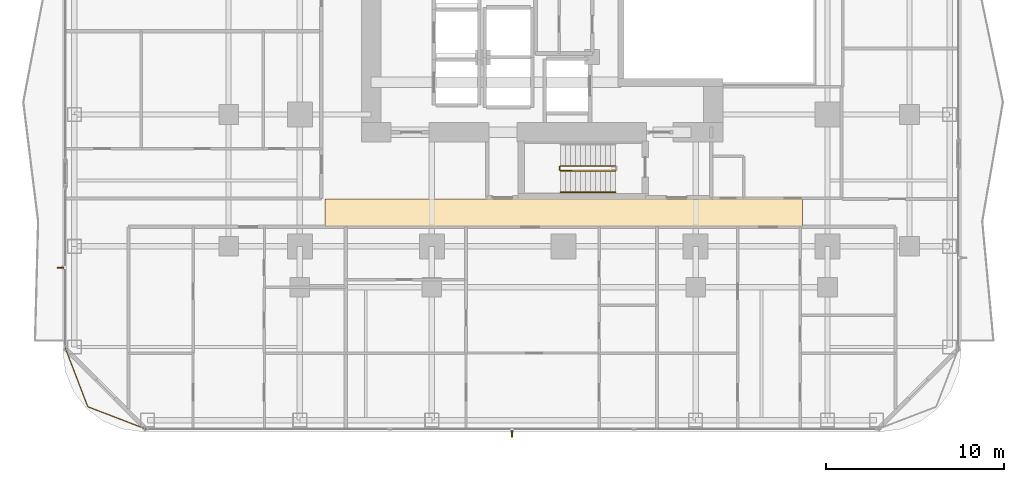
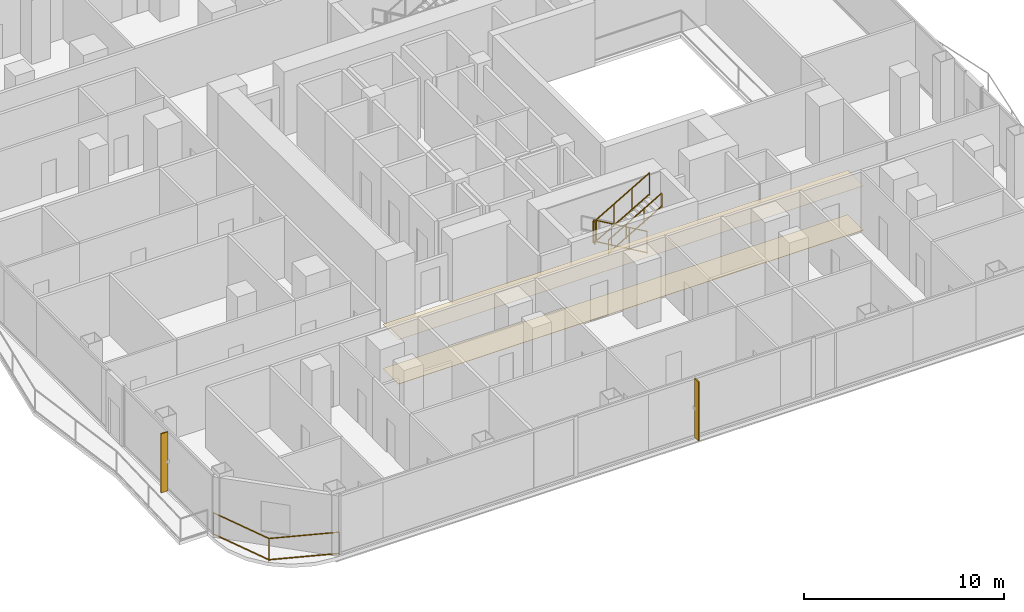
# One storey, part 26 of 30: 5 railings, 2 coverings, 2 shading devices.
"""IFC4 building model written with IfcOpenShell, lengths in metres."""

from ifc_helpers import new_model, si_unit, direction, frame, origin, origin_2d, place, context, subcontext, project, spatial, polyline, rectangle, outline, extrude, material, layer, layer_set, type_object, element, save


model = new_model("IFC4")

# Units and contexts
model_context = context("Model", 3, precision=1e-05, world=origin(), true_north=direction((0.0, 1.0)))
body_context = subcontext(model_context, "Body", "Model", "MODEL_VIEW")
ifc_project = project(units=[si_unit("LENGTHUNIT", "METRE"), si_unit("AREAUNIT", "SQUARE_METRE"), si_unit("VOLUMEUNIT", "CUBIC_METRE"), si_unit("PLANEANGLEUNIT", "RADIAN"), si_unit("MASSUNIT", "GRAM", prefix="KILO")], contexts=[model_context])

# Site, building, storey
site_placement = place(None, origin())
site = spatial("IfcSite", under=ifc_project, at=site_placement, CompositionType="ELEMENT")
building_placement = place(site_placement, origin())
building = spatial("IfcBuilding", under=site, at=building_placement, Name="Khorvyn Point Tower", CompositionType="ELEMENT")
storey_placement = place(building_placement, frame((0.0, 0.0, 57.89990234375)))
storey = spatial("IfcBuildingStorey", under=building, at=storey_placement, Name="L15", CompositionType="ELEMENT", Elevation=57.89990234375)

# Shading devices
ifc_material_1 = material(Name="Bronze anodised aluminium 6063-T6", Category="aluminium")
ifc_layer_1 = layer(ifc_material_1, 0.06494140625)
ifc_layer_set_1 = layer_set([ifc_layer_1], Name="Bronze Anodised Aluminium FIN 380x65")
shading_device_type = type_object("IfcShadingDeviceType", Name="Bronze Anodised Aluminium FIN 380x65", PredefinedType="USERDEFINED", material=ifc_layer_set_1)
for number, where, z_axis, x_axis, name in (
    (1, (-2.89990234375, -25.330078125, 0.0400390625), (0.0, 0.0, 1.0), (0.0, -1.0, 0.0), "L15 Anodised FIN 01"),
    (2, (-28.22998046875, -15.9951171875, 0.0400390625), (0.0, 0.0, 1.0), (-1.0, 0.0, 0.0), "L15 Anodised FIN 01"),
):
    element("IfcShadingDevice", number, at=place(storey_placement, frame(where, z_axis=z_axis, x_axis=x_axis)), inside=storey, type_object=shading_device_type, Name=name, ObjectType="FIN", PredefinedType="USERDEFINED", context=body_context, shape_type="SweptSolid", body=[
        extrude(rectangle(XDim=0.3798828125, YDim=0.06494140625, at=origin_2d()), origin(), (0.0, 0.0, 1.0), 3.60009765625),
    ])

# Railing
ifc_material_2 = material(Name="Anodised aluminium 6063-T6 and laminated safety glass", Category="aluminium")
railing_type_1 = type_object("IfcRailingType", Name="Laminated Glass and Aluminium Balcony Guardrail 1400", PredefinedType="BALUSTRADE", material=ifc_material_2)
railing_1_placement = place(storey_placement, frame((-27.97412109375, -20.470703125, 0.0)))
element("IfcRailing", 3, at=railing_1_placement, inside=storey, type_object=railing_type_1, Name="L15 Rounded Corner Edge Guardrail SW", PredefinedType="BALUSTRADE", context=body_context, shape_type="SweptSolid", body=[
    extrude(rectangle(XDim=0.048095703125, YDim=0.048095703125, at=origin_2d()), frame((0.0, 0.0, 1.3759765625), z_axis=(0.35841886047, -0.933560882031, 0.0), x_axis=(0.933560882031, 0.35841886047, 0.0)), (0.0, 0.0, 1.0), 3.563232421875),
    extrude(rectangle(XDim=0.048095703125, YDim=0.048095703125, at=origin_2d()), frame((0.0, 0.0, 0.080078125), z_axis=(0.35841886047, -0.933560882031, 0.0), x_axis=(0.933560882031, 0.35841886047, 0.0)), (0.0, 0.0, 1.0), 3.563232421875),
    extrude(rectangle(XDim=0.048095703125, YDim=0.048095703125, at=origin_2d()), frame((1.277099609375, -3.326416015625, 1.3759765625), z_axis=(0.933575007025, -0.358382067435, 0.0), x_axis=(0.358382067435, 0.933575007025, 0.0)), (0.0, 0.0, 1.0), 3.562744140625),
    extrude(rectangle(XDim=0.048095703125, YDim=0.048095703125, at=origin_2d()), frame((1.277099609375, -3.326416015625, 0.080078125), z_axis=(0.933575007025, -0.358382067435, 0.0), x_axis=(0.358382067435, 0.933575007025, 0.0)), (0.0, 0.0, 1.0), 3.562744140625),
    extrude(rectangle(XDim=0.0419921875, YDim=0.0419921875, at=origin_2d()), origin(), (0.0, 0.0, 1.0), 1.351806640625),
    extrude(rectangle(XDim=0.0419921875, YDim=0.0419921875, at=origin_2d()), frame((1.277099609375, -3.326416015625, 0.0)), (0.0, 0.0, 1.0), 1.351806640625),
    extrude(rectangle(XDim=0.0419921875, YDim=0.0419921875, at=origin_2d()), frame((4.603271484375, -4.603271484375, 0.0)), (0.0, 0.0, 1.0), 1.351806640625),
])

# Coverings
ifc_material_3 = material(Name="Mineral-fibre acoustic ceiling board", Category="gypsum")
ifc_layer_2 = layer(ifc_material_3, 0.02001953125)
ifc_layer_set_2 = layer_set([ifc_layer_2], Name="Perforated Mineral-Fibre Acoustic Suspended Ceiling 20")
covering_type_1 = type_object("IfcCoveringType", Name="Perforated Mineral-Fibre Acoustic Suspended Ceiling 20", PredefinedType="CEILING", material=ifc_layer_set_2)
covering_1_placement = place(storey_placement, frame((0.0, 0.0, 2.7001953125)))
element("IfcCovering", 4, at=covering_1_placement, inside=storey, type_object=covering_type_1, Name="L15 South Corridor Acoustic Ceiling", PredefinedType="CEILING", context=body_context, shape_type="SweptSolid", body=[
    extrude(outline(polyline([(-13.39990234375, -13.7099609375), (13.39990234375, -13.7099609375), (13.39990234375, -12.139892578125), (-13.39990234375, -12.139892578125), (-13.39990234375, -13.7099609375)])), origin(), (0.0, 0.0, 1.0), 0.02001953125),
])
ifc_material_4 = material(Name="Vitrified porcelain terrazzo tile", Category="ceramic")
ifc_layer_3 = layer(ifc_material_4, 0.01806640625)
ifc_layer_set_3 = layer_set([ifc_layer_3], Name="Porcelain Terrazzo Corridor Floor Finish Tile 18")
covering_type_2 = type_object("IfcCoveringType", Name="Porcelain Terrazzo Corridor Floor Finish Tile 18", PredefinedType="FLOORING", material=ifc_layer_set_3)
covering_2_placement = place(storey_placement, origin())
element("IfcCovering", 5, at=covering_2_placement, inside=storey, type_object=covering_type_2, Name="L15 South Corridor Terrazzo Flooring", PredefinedType="FLOORING", context=body_context, shape_type="SweptSolid", body=[
    extrude(outline(polyline([(-13.39990234375, -13.7099609375), (13.39990234375, -13.7099609375), (13.39990234375, -12.139892578125), (-13.39990234375, -12.139892578125), (-13.39990234375, -13.7099609375)])), origin(), (0.0, 0.0, 1.0), 0.01806640625),
])

# Railings
ifc_material_5 = material(Name="Stainless steel 1.4301", Category="steel")
railing_type_2 = type_object("IfcRailingType", Name="Stainless Steel 304 Stair Pitch Handrail 900", PredefinedType="HANDRAIL", material=ifc_material_5)
railing_2_placement = place(storey_placement, frame((-0.179931640625, -11.77001953125, 2.112548828125)))
element("IfcRailing", 6, at=railing_2_placement, inside=storey, type_object=railing_type_2, Name="L15 ST-01 stair handrail 2", PredefinedType="HANDRAIL", context=body_context, shape_type="SweptSolid", body=[
    extrude(rectangle(XDim=0.048095703125, YDim=0.048095703125, at=origin_2d()), frame((0.0, 0.0, 0.8759765625), z_axis=(0.864873446163, 0.0, 0.501989962173), x_axis=(0.0, 1.0, 0.0)), (0.0, 0.0, 1.0), 3.56103515625),
    extrude(rectangle(XDim=0.048095703125, YDim=0.048095703125, at=origin_2d()), frame((0.0, 0.0, 0.080078125), z_axis=(0.864873446163, 0.0, 0.501989962173), x_axis=(0.0, 1.0, 0.0)), (0.0, 0.0, 1.0), 3.56103515625),
    extrude(rectangle(XDim=0.0419921875, YDim=0.0419921875, at=origin_2d()), origin(), (0.0, 0.0, 1.0), 0.851806640625),
    extrude(rectangle(XDim=0.0419921875, YDim=0.0419921875, at=origin_2d()), frame((1.026611328125, 0.0, 0.595947265625)), (0.0, 0.0, 1.0), 0.851806640625),
    extrude(rectangle(XDim=0.0419921875, YDim=0.0419921875, at=origin_2d()), frame((2.05322265625, 0.0, 1.191650390625)), (0.0, 0.0, 1.0), 0.851806640625),
    extrude(rectangle(XDim=0.0419921875, YDim=0.0419921875, at=origin_2d()), frame((3.079833984375, 0.0, 1.78759765625)), (0.0, 0.0, 1.0), 0.851806640625),
])
railing_type_3 = type_object("IfcRailingType", Name="Stainless Steel 304 Stair Well Guardrail 1400", PredefinedType="GUARDRAIL", material=ifc_material_5)
railing_3_placement = place(storey_placement, frame((2.89990234375, -10.2900390625, 0.16259765625)))
element("IfcRailing", 7, at=railing_3_placement, inside=storey, type_object=railing_type_3, Name="L15 ST-01 stair guard 1", PredefinedType="GUARDRAIL", context=body_context, shape_type="SweptSolid", body=[
    extrude(rectangle(XDim=0.048095703125, YDim=0.048095703125, at=origin_2d()), frame((0.0, 0.0, 1.3759765625), z_axis=(-0.864873446163, 0.0, 0.501989962173), x_axis=(0.0, -1.0, 0.0)), (0.0, 0.0, 1.0), 3.56103515625),
    extrude(rectangle(XDim=0.048095703125, YDim=0.048095703125, at=origin_2d()), frame((0.0, 0.0, 0.080078125), z_axis=(-0.864873446163, 0.0, 0.501989962173), x_axis=(0.0, -1.0, 0.0)), (0.0, 0.0, 1.0), 3.56103515625),
    extrude(rectangle(XDim=0.0419921875, YDim=0.0419921875, at=origin_2d()), origin(), (0.0, 0.0, 1.0), 1.351806640625),
    extrude(rectangle(XDim=0.0419921875, YDim=0.0419921875, at=origin_2d()), frame((-1.026611328125, 0.0, 0.595947265625)), (0.0, 0.0, 1.0), 1.351806640625),
    extrude(rectangle(XDim=0.0419921875, YDim=0.0419921875, at=origin_2d()), frame((-2.05322265625, 0.0, 1.191650390625)), (0.0, 0.0, 1.0), 1.351806640625),
    extrude(rectangle(XDim=0.0419921875, YDim=0.0419921875, at=origin_2d()), frame((-3.079833984375, 0.0, 1.78759765625)), (0.0, 0.0, 1.0), 1.351806640625),
])
railing_4_placement = place(storey_placement, frame((-0.22998046875, -10.340087890625, 1.9501953125)))
element("IfcRailing", 8, at=railing_4_placement, inside=storey, type_object=railing_type_3, Name="L15 ST-01 stair guard 2", PredefinedType="GUARDRAIL", context=body_context, shape_type="SweptSolid", body=[
    extrude(rectangle(XDim=0.048095703125, YDim=0.048095703125, at=origin_2d()), frame((0.0, 0.0, 1.3759765625), z_axis=(0.0, -1.0, 0.0), x_axis=(1.0, 0.0, 0.0)), (0.0, 0.0, 1.0), 0.159912109375),
    extrude(rectangle(XDim=0.048095703125, YDim=0.048095703125, at=origin_2d()), frame((0.0, 0.0, 0.080078125), z_axis=(0.0, -1.0, 0.0), x_axis=(1.0, 0.0, 0.0)), (0.0, 0.0, 1.0), 0.159912109375),
    extrude(rectangle(XDim=0.0419921875, YDim=0.0419921875, at=origin_2d()), origin(), (0.0, 0.0, 1.0), 1.351806640625),
    extrude(rectangle(XDim=0.0419921875, YDim=0.0419921875, at=origin_2d()), frame((0.0, -0.159912109375, 0.0)), (0.0, 0.0, 1.0), 1.351806640625),
])
railing_5_placement = place(storey_placement, frame((-0.179931640625, -10.550048828125, 2.112548828125)))
element("IfcRailing", 9, at=railing_5_placement, inside=storey, type_object=railing_type_3, Name="L15 ST-01 stair guard 3", PredefinedType="GUARDRAIL", context=body_context, shape_type="SweptSolid", body=[
    extrude(rectangle(XDim=0.048095703125, YDim=0.048095703125, at=origin_2d()), frame((0.0, 0.0, 1.3759765625), z_axis=(0.864873446163, 0.0, 0.501989962173), x_axis=(0.0, 1.0, 0.0)), (0.0, 0.0, 1.0), 3.56103515625),
    extrude(rectangle(XDim=0.048095703125, YDim=0.048095703125, at=origin_2d()), frame((0.0, 0.0, 0.080078125), z_axis=(0.864873446163, 0.0, 0.501989962173), x_axis=(0.0, 1.0, 0.0)), (0.0, 0.0, 1.0), 3.56103515625),
    extrude(rectangle(XDim=0.0419921875, YDim=0.0419921875, at=origin_2d()), origin(), (0.0, 0.0, 1.0), 1.351806640625),
    extrude(rectangle(XDim=0.0419921875, YDim=0.0419921875, at=origin_2d()), frame((1.026611328125, 0.0, 0.595947265625)), (0.0, 0.0, 1.0), 1.351806640625),
    extrude(rectangle(XDim=0.0419921875, YDim=0.0419921875, at=origin_2d()), frame((2.05322265625, 0.0, 1.191650390625)), (0.0, 0.0, 1.0), 1.351806640625),
    extrude(rectangle(XDim=0.0419921875, YDim=0.0419921875, at=origin_2d()), frame((3.079833984375, 0.0, 1.78759765625)), (0.0, 0.0, 1.0), 1.351806640625),
])

save(model, "model.ifc")
